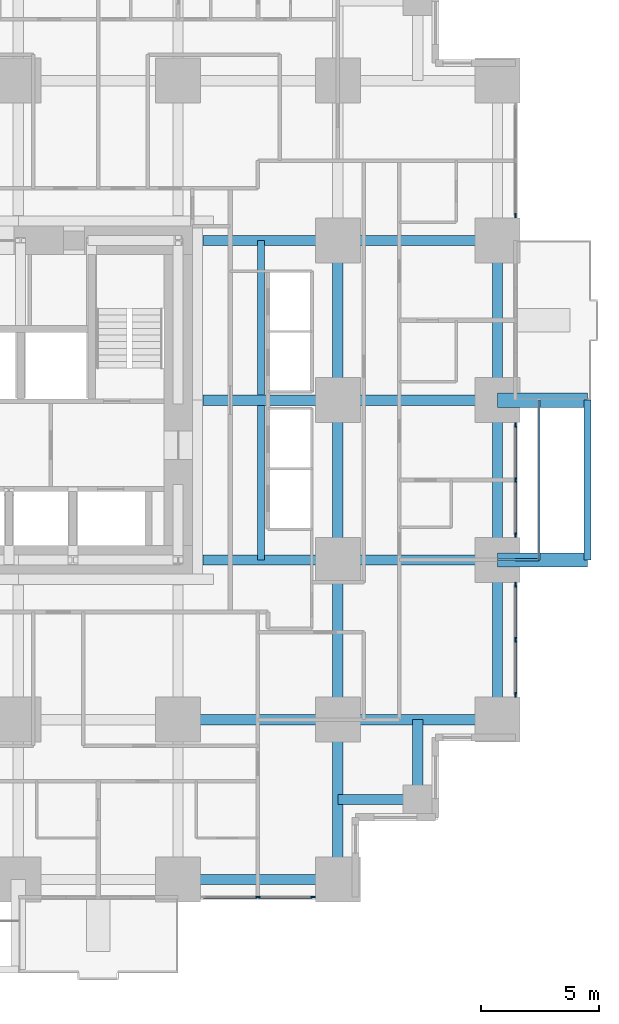
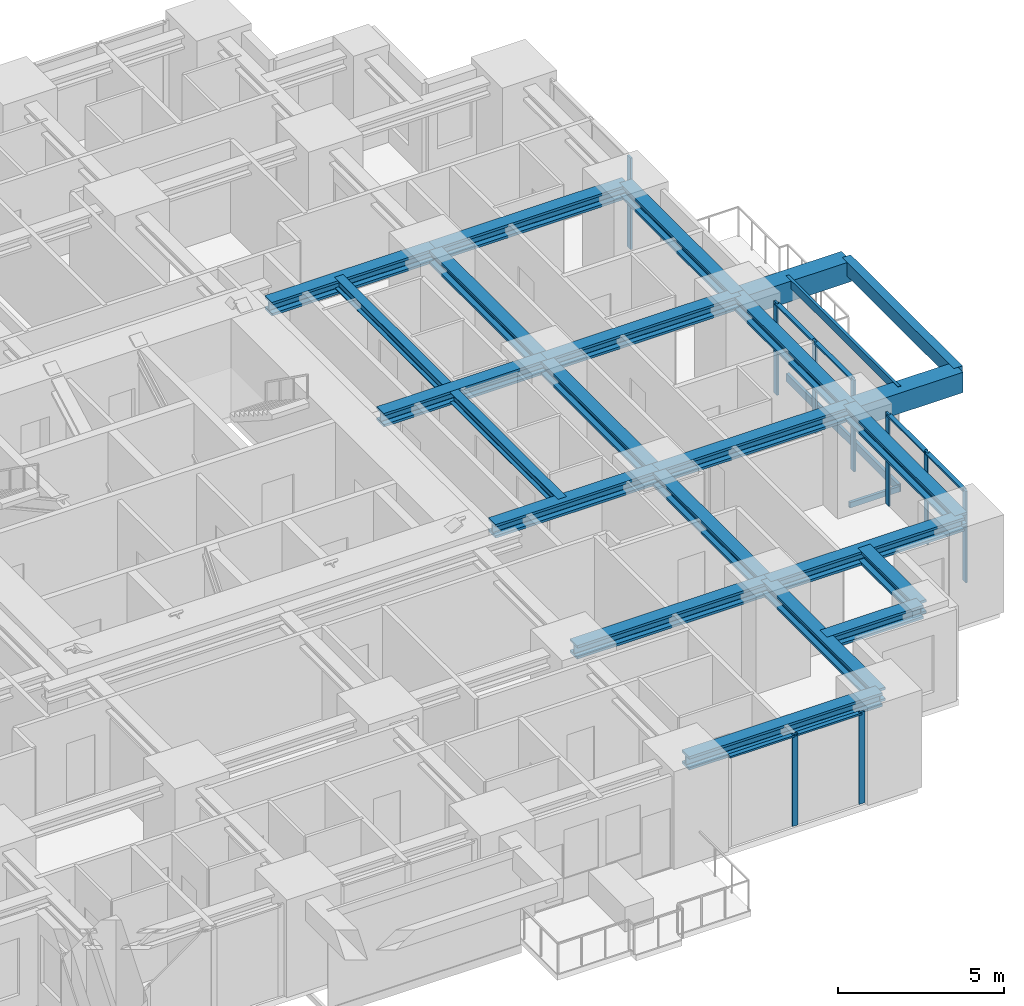
# One storey, part 4 of 14: 23 beams, 18 members, 4 elements without a shape of their own.
"""IFC4 building model written with IfcOpenShell, lengths in metres."""

from ifc_helpers import new_model, si_unit, direction, frame, origin, origin_2d, place, context, subcontext, project, spatial, rectangle, hollow_rectangle, i_section, extrude, material, material_profile, profile_set, type_object, element, aggregate, save


model = new_model("IFC4")

# Units and contexts
model_context = context("Model", 3, precision=1e-05, world=origin(), true_north=direction((0.0, 1.0)))
body_context = subcontext(model_context, "Body", "Model", "MODEL_VIEW")
ifc_project = project(units=[si_unit("LENGTHUNIT", "METRE"), si_unit("AREAUNIT", "SQUARE_METRE"), si_unit("VOLUMEUNIT", "CUBIC_METRE"), si_unit("PLANEANGLEUNIT", "RADIAN"), si_unit("MASSUNIT", "GRAM", prefix="KILO")], contexts=[model_context])

# Site, building, storey
site_placement = place(None, origin())
site = spatial("IfcSite", under=ifc_project, at=site_placement, CompositionType="ELEMENT")
building_placement = place(site_placement, origin())
building = spatial("IfcBuilding", under=site, at=building_placement, Name="Nyansa Garden Tower", CompositionType="ELEMENT")
storey_placement = place(building_placement, frame((0.0, 0.0, 28.800048828125)))
storey = spatial("IfcBuildingStorey", under=building, at=storey_placement, Name="L07", CompositionType="ELEMENT", Elevation=28.800048828125)

# Beams
ifc_material_1 = material(Name="Concrete C70/85", Category="concrete")
ifc_material_profile_1 = material_profile(ifc_material_1, rectangle(XDim=0.60009765625, YDim=0.75, at=origin_2d()), Name="RC 600x750")
ifc_profile_set_1 = profile_set([ifc_material_profile_1], Name="Concrete C70/85")
beam_type_1 = type_object("IfcBeamType", Name="Balcony cantilever beam CB1 RC 600x750", PredefinedType="BEAM", material=ifc_profile_set_1)
for number, where, z_axis, x_axis, name in (
    (1, (40.5, 13.5, 2.98486328125), (1.0, 0.0, 0.0), (0.0, 1.0, 0.0), "Balcony cantilever beam L08"),
    (2, (40.5, 20.25, 2.98486328125), (1.0, 0.0, 0.0), (0.0, 1.0, 0.0), "Balcony cantilever beam L08"),
):
    element("IfcBeam", number, at=place(storey_placement, frame(where, z_axis=z_axis, x_axis=x_axis)), inside=storey, type_object=beam_type_1, Name=name, PredefinedType="BEAM", context=body_context, shape_type="SweptSolid", body=[
        extrude(rectangle(XDim=0.60009765625, YDim=0.75, at=origin_2d()), origin(), (0.0, 0.0, 1.0), 3.800048828125),
    ])
ifc_material_2 = material(Name="Concrete C70/85", Category="concrete")
ifc_material_profile_2 = material_profile(ifc_material_2, rectangle(XDim=0.300048828125, YDim=0.5, at=origin_2d()), Name="RC 300x500")
ifc_profile_set_2 = profile_set([ifc_material_profile_2], Name="Concrete C70/85")
beam_type_2 = type_object("IfcBeamType", Name="Balcony edge beam BE1 RC 300x500", PredefinedType="BEAM", material=ifc_profile_set_2)
beam_1_placement = place(storey_placement, frame((44.300048828125, 13.5, 3.10986328125), z_axis=(0.0, 1.0, 0.0), x_axis=(-1.0, 0.0, 0.0)))
element("IfcBeam", 3, at=beam_1_placement, inside=storey, type_object=beam_type_2, Name="Balcony edge beam L08", PredefinedType="BEAM", context=body_context, shape_type="SweptSolid", body=[
    extrude(rectangle(XDim=0.300048828125, YDim=0.5, at=origin_2d()), origin(), (0.0, 0.0, 1.0), 6.75),
])

# Curtain wall, members
ifc_material_3 = material(Name="Black anodised aluminium, dark tinted double glazing", Category="aluminium")
curtain_wall_type = type_object("IfcCurtainWallType", Name="Inner skin curtain wall ISW-A", PredefinedType="USERDEFINED", material=ifc_material_3)
curtain_wall_1_placement = place(storey_placement, origin())
curtain_wall_1 = element("IfcCurtainWall", 4, at=curtain_wall_1_placement, inside=storey, type_object=curtain_wall_type, Name="Inner skin curtain wall L07 E", ObjectType="UNITISED CURTAIN WALL", PredefinedType="USERDEFINED")
ifc_material_4 = material(Name="Black anodised aluminium", Category="aluminium")
ifc_material_profile_3 = material_profile(ifc_material_4, rectangle(XDim=0.06494140625, YDim=0.199951171875, at=origin_2d()), Name="Mullion 200x65")
ifc_profile_set_3 = profile_set([ifc_material_profile_3], Name="Black anodised aluminium")
member_type_1 = type_object("IfcMemberType", Name="Mullion ISW-A 200x65", PredefinedType="MULLION", material=ifc_profile_set_3)
member_1_placement = place(storey_placement, frame((41.25, 7.800048828125, 0.0), z_axis=(0.0, 0.0, 1.0), x_axis=(-1.0, 0.0, 0.0)))
member_1 = element("IfcMember", 5, at=member_1_placement, type_object=member_type_1, Name="ISW-A mullion 1", PredefinedType="MULLION", context=body_context, shape_type="SweptSolid", body=[
    extrude(rectangle(XDim=0.06494140625, YDim=0.199951171875, at=origin_2d()), origin(), (0.0, 0.0, 1.0), 3.375),
])
member_2_placement = place(storey_placement, frame((41.25, 10.125, 0.0), z_axis=(0.0, 0.0, 1.0), x_axis=(-1.0, 0.0, 0.0)))
member_2 = element("IfcMember", 6, at=member_2_placement, type_object=member_type_1, Name="ISW-A mullion 2", PredefinedType="MULLION", context=body_context, shape_type="SweptSolid", body=[
    extrude(rectangle(XDim=0.06494140625, YDim=0.199951171875, at=origin_2d()), origin(), (0.0, 0.0, 1.0), 3.375),
])
member_3_placement = place(storey_placement, frame((41.25, 12.449951171875, 0.0), z_axis=(0.0, 0.0, 1.0), x_axis=(-1.0, 0.0, 0.0)))
member_3 = element("IfcMember", 7, at=member_3_placement, type_object=member_type_1, Name="ISW-A mullion 3", PredefinedType="MULLION", context=body_context, shape_type="SweptSolid", body=[
    extrude(rectangle(XDim=0.06494140625, YDim=0.199951171875, at=origin_2d()), origin(), (0.0, 0.0, 1.0), 3.375),
])

curtain_wall_2_placement = place(storey_placement, origin())
curtain_wall_2 = element("IfcCurtainWall", 8, at=curtain_wall_2_placement, inside=storey, type_object=curtain_wall_type, Name="Inner skin curtain wall L07 E", ObjectType="UNITISED CURTAIN WALL", PredefinedType="USERDEFINED")
member_4_placement = place(storey_placement, frame((41.25, 14.550048828125, 0.0), z_axis=(0.0, 0.0, 1.0), x_axis=(-1.0, 0.0, 0.0)))
member_4 = element("IfcMember", 9, at=member_4_placement, type_object=member_type_1, Name="ISW-A mullion 1", PredefinedType="MULLION", context=body_context, shape_type="SweptSolid", body=[
    extrude(rectangle(XDim=0.06494140625, YDim=0.199951171875, at=origin_2d()), origin(), (0.0, 0.0, 1.0), 3.375),
])
member_5_placement = place(storey_placement, frame((41.25, 16.875, 0.0), z_axis=(0.0, 0.0, 1.0), x_axis=(-1.0, 0.0, 0.0)))
member_5 = element("IfcMember", 10, at=member_5_placement, type_object=member_type_1, Name="ISW-A mullion 2", PredefinedType="MULLION", context=body_context, shape_type="SweptSolid", body=[
    extrude(rectangle(XDim=0.06494140625, YDim=0.199951171875, at=origin_2d()), origin(), (0.0, 0.0, 1.0), 3.375),
])
member_6_placement = place(storey_placement, frame((41.25, 19.199951171875, 0.0), z_axis=(0.0, 0.0, 1.0), x_axis=(-1.0, 0.0, 0.0)))
member_6 = element("IfcMember", 11, at=member_6_placement, type_object=member_type_1, Name="ISW-A mullion 3", PredefinedType="MULLION", context=body_context, shape_type="SweptSolid", body=[
    extrude(rectangle(XDim=0.06494140625, YDim=0.199951171875, at=origin_2d()), origin(), (0.0, 0.0, 1.0), 3.375),
])

# Curtain wall, member
curtain_wall_3_placement = place(storey_placement, origin())
curtain_wall_3 = element("IfcCurtainWall", 12, at=curtain_wall_3_placement, inside=storey, type_object=curtain_wall_type, Name="Inner skin curtain wall L07 E", ObjectType="UNITISED CURTAIN WALL", PredefinedType="USERDEFINED")
member_7_placement = place(storey_placement, frame((41.25, 28.050048828125, 0.0), z_axis=(0.0, 0.0, 1.0), x_axis=(-1.0, 0.0, 0.0)))
member_7 = element("IfcMember", 13, at=member_7_placement, type_object=member_type_1, Name="ISW-A mullion 1", PredefinedType="MULLION", context=body_context, shape_type="SweptSolid", body=[
    extrude(rectangle(XDim=0.06494140625, YDim=0.199951171875, at=origin_2d()), origin(), (0.0, 0.0, 1.0), 3.375),
])
aggregate(curtain_wall_3, [member_7])

# Curtain wall, members
curtain_wall_4_placement = place(storey_placement, origin())
curtain_wall_4 = element("IfcCurtainWall", 14, at=curtain_wall_4_placement, inside=storey, type_object=curtain_wall_type, Name="Inner skin curtain wall L07 S", ObjectType="UNITISED CURTAIN WALL", PredefinedType="USERDEFINED")
member_8_placement = place(storey_placement, frame((30.375, -0.75, 0.0), z_axis=(0.0, 0.0, 1.0), x_axis=(0.0, 1.0, 0.0)))
member_8 = element("IfcMember", 15, at=member_8_placement, type_object=member_type_1, Name="ISW-A mullion 2", PredefinedType="MULLION", context=body_context, shape_type="SweptSolid", body=[
    extrude(rectangle(XDim=0.06494140625, YDim=0.199951171875, at=origin_2d()), origin(), (0.0, 0.0, 1.0), 3.375),
])
member_9_placement = place(storey_placement, frame((32.699951171875, -0.75, 0.0), z_axis=(0.0, 0.0, 1.0), x_axis=(0.0, 1.0, 0.0)))
member_9 = element("IfcMember", 16, at=member_9_placement, type_object=member_type_1, Name="ISW-A mullion 3", PredefinedType="MULLION", context=body_context, shape_type="SweptSolid", body=[
    extrude(rectangle(XDim=0.06494140625, YDim=0.199951171875, at=origin_2d()), origin(), (0.0, 0.0, 1.0), 3.375),
])

# Members
ifc_material_5 = material(Name="Steel S355, black powder coated", Category="steel")
ifc_material_profile_4 = material_profile(ifc_material_5, hollow_rectangle(XDim=0.10009765625, YDim=0.199951171875, WallThickness=0.008056640625, at=origin_2d()), Name="RHS 200x100x8")
ifc_profile_set_4 = profile_set([ifc_material_profile_4], Name="Steel S355, black powder coated")
member_type_2 = type_object("IfcMemberType", Name="Outer skin bracket arm RHS 200x100x8", PredefinedType="USERDEFINED", material=ifc_profile_set_4)
member_10_placement = place(storey_placement, frame((40.5, 13.5, -0.375), z_axis=(1.0, 0.0, 0.0), x_axis=(0.0, 1.0, 0.0)))
element("IfcMember", 17, at=member_10_placement, inside=storey, type_object=member_type_2, Name="Outer skin bracket arm", ObjectType="OUTER SKIN BRACKET", PredefinedType="USERDEFINED", context=body_context, shape_type="SweptSolid", body=[
    extrude(hollow_rectangle(XDim=0.10009765625, YDim=0.199951171875, WallThickness=0.008056640625, at=origin_2d()), origin(), (0.0, 0.0, 1.0), 1.75),
])
ifc_material_6 = material(Name="Steel S355, black powder coated", Category="steel")
ifc_material_profile_5 = material_profile(ifc_material_6, hollow_rectangle(XDim=0.10009765625, YDim=0.300048828125, WallThickness=0.010009765625, at=origin_2d()), Name="RHS 300x100x10")
ifc_profile_set_5 = profile_set([ifc_material_profile_5], Name="Steel S355, black powder coated")
member_type_3 = type_object("IfcMemberType", Name="Outer skin rail RHS 300x100x10", PredefinedType="USERDEFINED", material=ifc_profile_set_5)
for number, where, z_axis, x_axis, name in (
    (18, (42.25, 13.5, -0.375), (0.0, 1.0, 0.0), (-1.0, 0.0, 0.0), "Outer skin rail L07"),
    (19, (42.25, 13.5, 3.224853515625), (0.0, 1.0, 0.0), (-1.0, 0.0, 0.0), "Outer skin rail L07 head"),
):
    element("IfcMember", number, at=place(storey_placement, frame(where, z_axis=z_axis, x_axis=x_axis)), inside=storey, type_object=member_type_3, Name=name, ObjectType="OUTER SKIN RAIL", PredefinedType="USERDEFINED", context=body_context, shape_type="SweptSolid", body=[
        extrude(hollow_rectangle(XDim=0.10009765625, YDim=0.300048828125, WallThickness=0.010009765625, at=origin_2d()), origin(), (0.0, 0.0, 1.0), 6.75),
    ])

# Beams
ifc_material_7 = material(Name="Steel S355", Category="steel")
ifc_material_profile_6 = material_profile(ifc_material_7, i_section(OverallWidth=0.431884765625, OverallDepth=0.498046875, WebThickness=0.0556640625, FlangeThickness=0.0888671875, FilletRadius=0.014892578125, at=origin_2d()), Name="HD 400x744")
ifc_profile_set_6 = profile_set([ifc_material_profile_6], Name="Steel S355")
beam_type_3 = type_object("IfcBeamType", Name="Steel beam SBA1-744 HD 400x744", PredefinedType="BEAM", material=ifc_profile_set_6)
beam_2_placement = place(storey_placement, frame((27.0, 6.75, 3.1259765625), z_axis=(1.0, 0.0, 0.0), x_axis=(0.0, 1.0, 0.0)))
element("IfcBeam", 20, at=beam_2_placement, inside=storey, type_object=beam_type_3, Name="Steel beam 6/E-7/E L08", PredefinedType="BEAM", context=body_context, shape_type="SweptSolid", body=[
    extrude(i_section(OverallWidth=0.431884765625, OverallDepth=0.498046875, WebThickness=0.0556640625, FlangeThickness=0.0888671875, FilletRadius=0.014892578125, at=origin_2d()), origin(), (0.0, 0.0, 1.0), 6.75),
])
for number, where, z_axis, x_axis, name in (
    (21, (28.050048828125, 13.5, 3.1259765625), (1.0, 0.0, 0.0), (0.0, 1.0, 0.0), "Steel beam 28.050/F-7/F L08"),
    (22, (28.050048828125, 20.25, 3.1259765625), (1.0, 0.0, 0.0), (0.0, 1.0, 0.0), "Steel beam 28.050/G-7/G L08"),
    (23, (28.050048828125, 27.0, 3.1259765625), (1.0, 0.0, 0.0), (0.0, 1.0, 0.0), "Steel beam 28.050/H-7/H L08"),
):
    element("IfcBeam", number, at=place(storey_placement, frame(where, z_axis=z_axis, x_axis=x_axis)), inside=storey, type_object=beam_type_3, Name=name, PredefinedType="BEAM", context=body_context, shape_type="SweptSolid", body=[
        extrude(i_section(OverallWidth=0.431884765625, OverallDepth=0.498046875, WebThickness=0.0556640625, FlangeThickness=0.0888671875, FilletRadius=0.014892578125, at=origin_2d()), origin(), (0.0, 0.0, 1.0), 5.699951171875),
    ])
for number, where, z_axis, x_axis, name in (
    (24, (33.75, 0.0, 3.1259765625), (0.0, 1.0, 0.0), (-1.0, 0.0, 0.0), "Steel beam 7/D-7/E L08"),
    (25, (33.75, 6.75, 3.1259765625), (0.0, 1.0, 0.0), (-1.0, 0.0, 0.0), "Steel beam 7/E-7/F L08"),
    (26, (33.75, 6.75, 3.1259765625), (1.0, 0.0, 0.0), (0.0, 1.0, 0.0), "Steel beam 7/E-8/E L08"),
    (27, (33.75, 13.5, 3.1259765625), (0.0, 1.0, 0.0), (-1.0, 0.0, 0.0), "Steel beam 7/F-7/G L08"),
    (28, (33.75, 13.5, 3.1259765625), (1.0, 0.0, 0.0), (0.0, 1.0, 0.0), "Steel beam 7/F-8/F L08"),
    (29, (33.75, 20.25, 3.1259765625), (0.0, 1.0, 0.0), (-1.0, 0.0, 0.0), "Steel beam 7/G-7/H L08"),
    (30, (33.75, 20.25, 3.1259765625), (1.0, 0.0, 0.0), (0.0, 1.0, 0.0), "Steel beam 7/G-8/G L08"),
    (31, (33.75, 27.0, 3.1259765625), (1.0, 0.0, 0.0), (0.0, 1.0, 0.0), "Steel beam 7/H-8/H L08"),
):
    element("IfcBeam", number, at=place(storey_placement, frame(where, z_axis=z_axis, x_axis=x_axis)), inside=storey, type_object=beam_type_3, Name=name, PredefinedType="BEAM", context=body_context, shape_type="SweptSolid", body=[
        extrude(i_section(OverallWidth=0.431884765625, OverallDepth=0.498046875, WebThickness=0.0556640625, FlangeThickness=0.0888671875, FilletRadius=0.014892578125, at=origin_2d()), origin(), (0.0, 0.0, 1.0), 6.75),
    ])
ifc_material_8 = material(Name="Steel S355", Category="steel")
ifc_material_profile_7 = material_profile(ifc_material_8, i_section(OverallWidth=0.431884765625, OverallDepth=0.498046875, WebThickness=0.0556640625, FlangeThickness=0.0888671875, FilletRadius=0.014892578125, at=origin_2d()), Name="HD 400x744")
ifc_profile_set_7 = profile_set([ifc_material_profile_7], Name="Steel S355")
beam_type_4 = type_object("IfcBeamType", Name="Steel beam SEBA-744 HD 400x744", PredefinedType="BEAM", material=ifc_profile_set_7)
for number, where, z_axis, x_axis, name in (
    (32, (27.0, 0.0, 3.1259765625), (1.0, 0.0, 0.0), (0.0, 1.0, 0.0), "Steel edge beam 6/D-7/D L08"),
    (33, (40.5, 6.75, 3.1259765625), (0.0, 1.0, 0.0), (-1.0, 0.0, 0.0), "Steel edge beam 8/E-8/F L08"),
    (34, (40.5, 13.5, 3.1259765625), (0.0, 1.0, 0.0), (-1.0, 0.0, 0.0), "Steel edge beam 8/F-8/G L08"),
    (35, (40.5, 20.25, 3.1259765625), (0.0, 1.0, 0.0), (-1.0, 0.0, 0.0), "Steel edge beam 8/G-8/H L08"),
):
    element("IfcBeam", number, at=place(storey_placement, frame(where, z_axis=z_axis, x_axis=x_axis)), inside=storey, type_object=beam_type_4, Name=name, PredefinedType="BEAM", context=body_context, shape_type="SweptSolid", body=[
        extrude(i_section(OverallWidth=0.431884765625, OverallDepth=0.498046875, WebThickness=0.0556640625, FlangeThickness=0.0888671875, FilletRadius=0.014892578125, at=origin_2d()), origin(), (0.0, 0.0, 1.0), 6.75),
    ])
ifc_material_9 = material(Name="Steel S355", Category="steel")
ifc_material_profile_8 = material_profile(ifc_material_9, i_section(OverallWidth=0.431884765625, OverallDepth=0.498046875, WebThickness=0.0556640625, FlangeThickness=0.0888671875, FilletRadius=0.014892578125, at=origin_2d()), Name="HD 400x744")
ifc_profile_set_8 = profile_set([ifc_material_profile_8], Name="Steel S355")
beam_type_5 = type_object("IfcBeamType", Name="Steel beam SSB1-744 HD 400x744", PredefinedType="BEAM", material=ifc_profile_set_8)
for number, where, z_axis, x_axis, name in (
    (36, (37.125, 3.375, 3.1259765625), (0.0, 1.0, 0.0), (-1.0, 0.0, 0.0), "Steel step beam 37.125/3.375 L08"),
    (37, (37.125, 3.375, 3.1259765625), (-1.0, 0.0, 0.0), (0.0, -1.0, 0.0), "Steel step beam 37.125/3.375 L08"),
):
    element("IfcBeam", number, at=place(storey_placement, frame(where, z_axis=z_axis, x_axis=x_axis)), inside=storey, type_object=beam_type_5, Name=name, PredefinedType="BEAM", context=body_context, shape_type="SweptSolid", body=[
        extrude(i_section(OverallWidth=0.431884765625, OverallDepth=0.498046875, WebThickness=0.0556640625, FlangeThickness=0.0888671875, FilletRadius=0.014892578125, at=origin_2d()), origin(), (0.0, 0.0, 1.0), 3.375),
    ])

# Member
ifc_material_10 = material(Name="Black anodised aluminium", Category="aluminium")
ifc_material_profile_9 = material_profile(ifc_material_10, rectangle(XDim=0.14990234375, YDim=0.06494140625, at=origin_2d()), Name="Transom 150x65")
ifc_profile_set_9 = profile_set([ifc_material_profile_9], Name="Black anodised aluminium")
member_type_4 = type_object("IfcMemberType", Name="Transom ISW-A 150x65", PredefinedType="USERDEFINED", material=ifc_profile_set_9)
member_11_placement = place(storey_placement, frame((41.25, 7.83251953125, 3.342529296875), z_axis=(0.0, 1.0, 0.0), x_axis=(-1.0, 0.0, 0.0)))
member_11 = element("IfcMember", 38, at=member_11_placement, type_object=member_type_4, Name="ISW-A transom 1", ObjectType="TRANSOM", PredefinedType="USERDEFINED", context=body_context, shape_type="SweptSolid", body=[
    extrude(rectangle(XDim=0.14990234375, YDim=0.06494140625, at=origin_2d()), origin(), (0.0, 0.0, 1.0), 2.260009765625),
])

member_12_placement = place(storey_placement, frame((41.25, 10.157470703125, 3.342529296875), z_axis=(0.0, 1.0, 0.0), x_axis=(-1.0, 0.0, 0.0)))
member_12 = element("IfcMember", 39, at=member_12_placement, type_object=member_type_4, Name="ISW-A transom 2", ObjectType="TRANSOM", PredefinedType="USERDEFINED", context=body_context, shape_type="SweptSolid", body=[
    extrude(rectangle(XDim=0.14990234375, YDim=0.06494140625, at=origin_2d()), origin(), (0.0, 0.0, 1.0), 2.260009765625),
])

aggregate(curtain_wall_1, [member_1, member_2, member_3, member_11, member_12])

member_13_placement = place(storey_placement, frame((41.25, 14.58251953125, 3.342529296875), z_axis=(0.0, 1.0, 0.0), x_axis=(-1.0, 0.0, 0.0)))
member_13 = element("IfcMember", 40, at=member_13_placement, type_object=member_type_4, Name="ISW-A transom 1", ObjectType="TRANSOM", PredefinedType="USERDEFINED", context=body_context, shape_type="SweptSolid", body=[
    extrude(rectangle(XDim=0.14990234375, YDim=0.06494140625, at=origin_2d()), origin(), (0.0, 0.0, 1.0), 2.260009765625),
])

member_14_placement = place(storey_placement, frame((41.25, 16.907470703125, 3.342529296875), z_axis=(0.0, 1.0, 0.0), x_axis=(-1.0, 0.0, 0.0)))
member_14 = element("IfcMember", 41, at=member_14_placement, type_object=member_type_4, Name="ISW-A transom 2", ObjectType="TRANSOM", PredefinedType="USERDEFINED", context=body_context, shape_type="SweptSolid", body=[
    extrude(rectangle(XDim=0.14990234375, YDim=0.06494140625, at=origin_2d()), origin(), (0.0, 0.0, 1.0), 2.260009765625),
])

aggregate(curtain_wall_2, [member_4, member_5, member_6, member_13, member_14])

member_15_placement = place(storey_placement, frame((28.08251953125, -0.75, 3.342529296875), z_axis=(1.0, 0.0, 0.0), x_axis=(0.0, 1.0, 0.0)))
member_15 = element("IfcMember", 42, at=member_15_placement, type_object=member_type_4, Name="ISW-A transom 1", ObjectType="TRANSOM", PredefinedType="USERDEFINED", context=body_context, shape_type="SweptSolid", body=[
    extrude(rectangle(XDim=0.14990234375, YDim=0.06494140625, at=origin_2d()), origin(), (0.0, 0.0, 1.0), 2.260009765625),
])

member_16_placement = place(storey_placement, frame((30.407470703125, -0.75, 3.342529296875), z_axis=(1.0, 0.0, 0.0), x_axis=(0.0, 1.0, 0.0)))
member_16 = element("IfcMember", 43, at=member_16_placement, type_object=member_type_4, Name="ISW-A transom 2", ObjectType="TRANSOM", PredefinedType="USERDEFINED", context=body_context, shape_type="SweptSolid", body=[
    extrude(rectangle(XDim=0.14990234375, YDim=0.06494140625, at=origin_2d()), origin(), (0.0, 0.0, 1.0), 2.260009765625),
])

aggregate(curtain_wall_4, [member_8, member_9, member_15, member_16])

# Beams
ifc_material_11 = material(Name="Steel S355", Category="steel")
ifc_material_profile_10 = material_profile(ifc_material_11, i_section(OverallWidth=0.300048828125, OverallDepth=0.39990234375, WebThickness=0.013427734375, FlangeThickness=0.02392578125, FilletRadius=0.027099609375, at=origin_2d()), Name="HE 400 B")
ifc_profile_set_10 = profile_set([ifc_material_profile_10], Name="Steel S355")
beam_type_6 = type_object("IfcBeamType", Name="Trimmer beam TR1 HE 400 B", PredefinedType="BEAM", material=ifc_profile_set_10)
for number, where, z_axis, x_axis, name in (
    (44, (30.5, 13.5, 3.175048828125), (0.0, 1.0, 0.0), (-1.0, 0.0, 0.0), "Trimmer beam 1 L08"),
    (45, (30.5, 20.466064453125, 3.175048828125), (0.0, 1.0, 0.0), (-1.0, 0.0, 0.0), "Trimmer beam 2 L08"),
):
    element("IfcBeam", number, at=place(storey_placement, frame(where, z_axis=z_axis, x_axis=x_axis)), inside=storey, type_object=beam_type_6, Name=name, PredefinedType="BEAM", context=body_context, shape_type="SweptSolid", body=[
        extrude(i_section(OverallWidth=0.300048828125, OverallDepth=0.39990234375, WebThickness=0.013427734375, FlangeThickness=0.02392578125, FilletRadius=0.027099609375, at=origin_2d()), origin(), (0.0, 0.0, 1.0), 6.533935546875),
    ])

save(model, "model.ifc")
